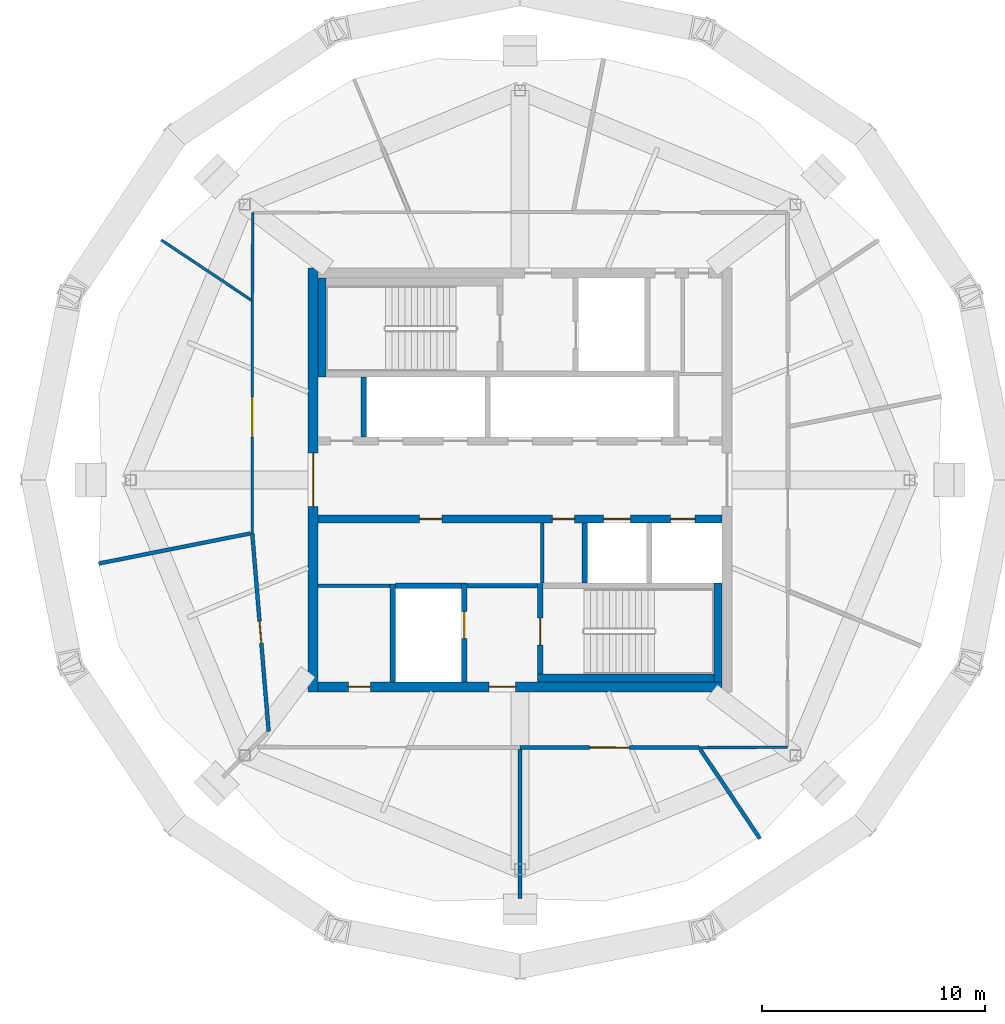
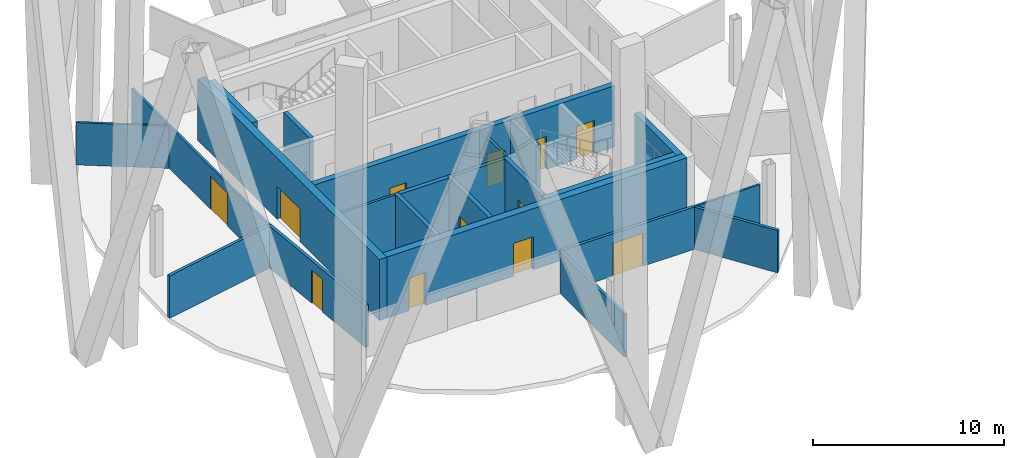
# One storey, part 4 of 11: 24 walls, 12 doors, 12 openings.
"""IFC4 building model written with IfcOpenShell, lengths in metres."""

from ifc_helpers import new_model, si_unit, direction, frame, frame_2d, origin, place, context, subcontext, project, spatial, rectangle, extrude, material, layer, layer_set, type_object, element, fill, save


model = new_model("IFC4")

# Units and contexts
model_context = context("Model", 3, precision=1e-05, world=origin(), true_north=direction((0.0, 1.0)))
body_context = subcontext(model_context, "Body", "Model", "MODEL_VIEW")
ifc_project = project(units=[si_unit("LENGTHUNIT", "METRE"), si_unit("AREAUNIT", "SQUARE_METRE"), si_unit("VOLUMEUNIT", "CUBIC_METRE"), si_unit("PLANEANGLEUNIT", "RADIAN"), si_unit("MASSUNIT", "GRAM", prefix="KILO")], contexts=[model_context])

# Site, building, storey
site_placement = place(None, origin())
site = spatial("IfcSite", under=ifc_project, at=site_placement, CompositionType="ELEMENT")
building_placement = place(site_placement, origin())
building = spatial("IfcBuilding", under=site, at=building_placement, Name="Ogive Gate Towers", CompositionType="ELEMENT")
storey_placement = place(building_placement, frame((0.0, 0.0, 273.0)))
storey = spatial("IfcBuildingStorey", under=building, at=storey_placement, Name="L64", CompositionType="ELEMENT", Elevation=273.0)

# Walls
ifc_material_1 = material(Name="Gypsum board acoustic partition")
ifc_layer_1 = layer(ifc_material_1, 0.175048828125)
ifc_layer_set_1 = layer_set([ifc_layer_1], Name="Acoustic partition 175")
wall_type_1 = type_object("IfcWallType", Name="Acoustic partition 175", PredefinedType="PARTITIONING", material=ifc_layer_set_1)
wall_1_placement = place(storey_placement, frame((-54.89111328125, -3.748291015625, 0.0), z_axis=(0.0, 0.0, 1.0), x_axis=(0.980874890603, 0.194639279139, 0.0)))
element("IfcWall", 1, at=wall_1_placement, inside=storey, type_object=wall_type_1, Name="Partition T1-L64-006", PredefinedType="PARTITIONING", context=body_context, shape_type="SweptSolid", body=[
    extrude(rectangle(XDim=6.931396484375, YDim=0.175048828125, at=frame_2d((3.4658203125, 0.0))), origin(), (0.0, 0.0, 1.0), 2.699951171875),
])
wall_2_placement = place(storey_placement, frame((-36.0, -18.759033203125, 0.0), z_axis=(0.0, 0.0, 1.0), x_axis=(0.0, 1.0, 0.0)))
element("IfcWall", 2, at=wall_2_placement, inside=storey, type_object=wall_type_1, Name="Partition T1-L64-008", PredefinedType="PARTITIONING", context=body_context, shape_type="SweptSolid", body=[
    extrude(rectangle(XDim=6.681396484375, YDim=0.175048828125, at=frame_2d((3.3408203125, 0.0))), origin(), (0.0, 0.0, 1.0), 2.699951171875),
])
wall_3_placement = place(storey_placement, frame((-25.240478515625, -16.085693359375, 0.0), z_axis=(0.0, 0.0, 1.0), x_axis=(-0.555995786463, 0.831185109007, 0.0)))
element("IfcWall", 3, at=wall_3_placement, inside=storey, type_object=wall_type_1, Name="Partition T1-L64-009", PredefinedType="PARTITIONING", context=body_context, shape_type="SweptSolid", body=[
    extrude(rectangle(XDim=4.824462890625, YDim=0.175048828125, at=frame_2d((2.412109375, 0.0))), origin(), (0.0, 0.0, 1.0), 2.699951171875),
])

# Wall, opening, door
wall_4_placement = place(storey_placement, frame((-48.00634765625, -2.382080078125, 0.0), z_axis=(0.0, 0.0, 1.0), x_axis=(0.082415728916, -0.996598037138, 0.0)))
wall_4 = element("IfcWall", 4, at=wall_4_placement, inside=storey, type_object=wall_type_1, Name="Partition T1-L64-015", PredefinedType="PARTITIONING", context=body_context, shape_type="SweptSolid", body=[
    extrude(rectangle(XDim=8.91943359375, YDim=0.175048828125, at=frame_2d((4.459716796875, 0.0))), origin(), (0.0, 0.0, 1.0), 2.699951171875),
])
opening_1_placement = place(wall_4_placement, frame((3.9599609375, 0.0, 0.0)))
opening_1 = element("IfcOpeningElement", 5, at=opening_1_placement, cuts=wall_4, Name="Opening T1-L64-D04", PredefinedType="OPENING", context=body_context, shape_type="SweptSolid", body=[
    extrude(rectangle(XDim=1.0, YDim=2.10009765625, at=frame_2d((0.5, 1.050048828125))), frame((0.0, 0.09765625, 0.0), z_axis=(0.0, -1.0, 0.0), x_axis=(1.0, 0.0, 0.0)), (0.0, 0.0, 1.0), 0.195068359375),
])
ifc_material_2 = material(Name="Timber door", Category="wood")
door_type_1 = type_object("IfcDoorType", Name="Door 1000", OperationType="NOTDEFINED", PredefinedType="DOOR", material=ifc_material_2)
door_1_placement = place(opening_1_placement, origin())
door_1 = element("IfcDoor", 6, at=door_1_placement, inside=storey, type_object=door_type_1, Name="Door T1-L64-D04", OperationType="SINGLE_SWING_LEFT", OverallHeight=2.10009765625, OverallWidth=1.0, PredefinedType="DOOR", context=body_context, shape_type="SweptSolid", body=[
    extrude(rectangle(XDim=1.0, YDim=2.10009765625, at=frame_2d((0.5, 1.050048828125))), frame((0.0, 0.02490234375, 0.0), z_axis=(0.0, -1.0, 0.0), x_axis=(1.0, 0.0, 0.0)), (0.0, 0.0, 1.0), 0.050048828125),
])
fill(opening_1, door_1)

wall_5_placement = place(storey_placement, frame((-36.0, -11.989990234375, 0.0), z_axis=(0.0, 0.0, 1.0), x_axis=(0.999998701251, -0.001611674963, 0.0)))
wall_5 = element("IfcWall", 7, at=wall_5_placement, inside=storey, type_object=wall_type_1, Name="Partition T1-L64-017", PredefinedType="PARTITIONING", context=body_context, shape_type="SweptSolid", body=[
    extrude(rectangle(XDim=8.028564453125, YDim=0.175048828125, at=frame_2d((4.01416015625, 0.0))), origin(), (0.0, 0.0, 1.0), 2.699951171875),
])
opening_2_placement = place(wall_5_placement, frame((3.114013671875, 0.0, 0.0)))
opening_2 = element("IfcOpeningElement", 8, at=opening_2_placement, cuts=wall_5, Name="Opening T1-L64-D06", PredefinedType="OPENING", context=body_context, shape_type="SweptSolid", body=[
    extrude(rectangle(XDim=1.800048828125, YDim=2.10009765625, at=frame_2d((0.89990234375, 1.050048828125))), frame((0.0, 0.09765625, 0.0), z_axis=(0.0, -1.0, 0.0), x_axis=(1.0, 0.0, 0.0)), (0.0, 0.0, 1.0), 0.195068359375),
])
door_type_2 = type_object("IfcDoorType", Name="Door pair 1800", OperationType="NOTDEFINED", PredefinedType="DOOR", material=ifc_material_2)
door_2_placement = place(opening_2_placement, origin())
door_2 = element("IfcDoor", 9, at=door_2_placement, inside=storey, type_object=door_type_2, Name="Door T1-L64-D06", OperationType="DOUBLE_DOOR_DOUBLE_SWING", OverallHeight=2.10009765625, OverallWidth=1.800048828125, PredefinedType="DOOR", context=body_context, shape_type="SweptSolid", body=[
    extrude(rectangle(XDim=1.800048828125, YDim=2.10009765625, at=frame_2d((0.89990234375, 1.050048828125))), frame((0.0, 0.02490234375, 0.0), z_axis=(0.0, -1.0, 0.0), x_axis=(1.0, 0.0, 0.0)), (0.0, 0.0, 1.0), 0.050048828125),
])
fill(opening_2, door_2)

# Wall
ifc_material_3 = material(Name="Masonry blockwork", Category="masonry")
ifc_layer_2 = layer(ifc_material_3, 0.199951171875)
ifc_layer_set_2 = layer_set([ifc_layer_2], Name="Blockwork wall 200 mm")
wall_type_2 = type_object("IfcWallType", Name="Blockwork wall 200 mm", PredefinedType="PARTITIONING", material=ifc_layer_set_2)
wall_6_placement = place(storey_placement, frame((-38.375, -4.75, 0.0), z_axis=(0.0, 0.0, 1.0), x_axis=(1.0, 0.0, 0.0)))
element("IfcWall", 10, at=wall_6_placement, inside=storey, type_object=wall_type_2, Name="T1 L64 Blockwork wall 200 mm", PredefinedType="PARTITIONING", context=body_context, shape_type="SweptSolid", body=[
    extrude(rectangle(XDim=3.14990234375, YDim=0.199951171875, at=frame_2d((1.574951171875, 0.0))), origin(), (0.0, 0.0, 1.0), 3.89990234375),
])

# Wall, openings, doors
ifc_material_4 = material(Name="Concrete C60/75", Category="concrete")
ifc_layer_3 = layer(ifc_material_4, 0.449951171875)
ifc_layer_set_3 = layer_set([ifc_layer_3], Name="Core wall 450 mm")
wall_type_3 = type_object("IfcWallType", Name="Core wall 450 mm", PredefinedType="SHEAR", material=ifc_layer_set_3)
wall_7_placement = place(storey_placement, frame((-45.050048828125, -9.27490234375, 0.0), z_axis=(0.0, 0.0, 1.0), x_axis=(1.0, 0.0, 0.0)))
wall_7 = element("IfcWall", 11, at=wall_7_placement, inside=storey, type_object=wall_type_3, Name="T1 L64 Core wall 450 mm", PredefinedType="SHEAR", context=body_context, shape_type="SweptSolid", body=[
    extrude(rectangle(XDim=18.10009765625, YDim=0.449951171875, at=frame_2d((9.050048828125, 0.0))), origin(), (0.0, 0.0, 1.0), 3.89990234375),
])
opening_3_placement = place(wall_7_placement, frame((7.64990234375, 0.0, 0.0)))
opening_3 = element("IfcOpeningElement", 12, at=opening_3_placement, cuts=wall_7, Name="Opening KD-T1-L64-19", PredefinedType="OPENING", context=body_context, shape_type="SweptSolid", body=[
    extrude(rectangle(XDim=1.199951171875, YDim=2.10009765625, at=frame_2d((0.60009765625, 1.050048828125))), frame((0.0, 0.23486328125, 0.0), z_axis=(0.0, -1.0, 0.0), x_axis=(1.0, 0.0, 0.0)), (0.0, 0.0, 1.0), 0.469970703125),
])
opening_4_placement = place(wall_7_placement, frame((1.35009765625, 0.0, 0.0)))
opening_4 = element("IfcOpeningElement", 13, at=opening_4_placement, cuts=wall_7, Name="Opening KD-T1-L64-22", PredefinedType="OPENING", context=body_context, shape_type="SweptSolid", body=[
    extrude(rectangle(XDim=1.0, YDim=2.10009765625, at=frame_2d((0.5, 1.050048828125))), frame((0.0, 0.23486328125, 0.0), z_axis=(0.0, -1.0, 0.0), x_axis=(1.0, 0.0, 0.0)), (0.0, 0.0, 1.0), 0.469970703125),
])
door_type_3 = type_object("IfcDoorType", Name="Accessible WC door 1000 x 2100", OperationType="NOTDEFINED", PredefinedType="DOOR", material=ifc_material_2)
door_3_placement = place(opening_4_placement, origin())
door_3 = element("IfcDoor", 14, at=door_3_placement, inside=storey, type_object=door_type_3, Name="T1 L64 Core door", OperationType="SINGLE_SWING_LEFT", OverallHeight=2.10009765625, OverallWidth=1.0, PredefinedType="DOOR", context=body_context, shape_type="SweptSolid", body=[
    extrude(rectangle(XDim=1.0, YDim=2.10009765625, at=frame_2d((0.5, 1.050048828125))), frame((0.0, 0.02490234375, 0.0), z_axis=(0.0, -1.0, 0.0), x_axis=(1.0, 0.0, 0.0)), (0.0, 0.0, 1.0), 0.050048828125),
])
fill(opening_4, door_3)
ifc_material_5 = material(Name="Steel fire door", Category="steel")
door_type_4 = type_object("IfcDoorType", Name="Core door FD60S 1200 x 2100", OperationType="NOTDEFINED", PredefinedType="DOOR", material=ifc_material_5)
door_4_placement = place(opening_3_placement, origin())
door_4 = element("IfcDoor", 15, at=door_4_placement, inside=storey, type_object=door_type_4, Name="T1 L64 Fire-fighting lobby door", OperationType="SINGLE_SWING_RIGHT", OverallHeight=2.10009765625, OverallWidth=1.199951171875, PredefinedType="DOOR", context=body_context, shape_type="SweptSolid", body=[
    extrude(rectangle(XDim=1.199951171875, YDim=2.10009765625, at=frame_2d((0.60009765625, 1.050048828125))), frame((0.0, 0.02490234375, 0.0), z_axis=(0.0, -1.0, 0.0), x_axis=(1.0, 0.0, 0.0)), (0.0, 0.0, 1.0), 0.050048828125),
])
fill(opening_3, door_4)

# Wall, opening, door
wall_8_placement = place(storey_placement, frame((-45.27490234375, -9.5, 0.0), z_axis=(0.0, 0.0, 1.0), x_axis=(0.0, 1.0, 0.0)))
wall_8 = element("IfcWall", 16, at=wall_8_placement, inside=storey, type_object=wall_type_3, Name="T1 L64 Core wall 450 mm", PredefinedType="SHEAR", context=body_context, shape_type="SweptSolid", body=[
    extrude(rectangle(XDim=19.0, YDim=0.449951171875, at=frame_2d((9.5, 0.0))), origin(), (0.0, 0.0, 1.0), 3.89990234375),
])
opening_5_placement = place(wall_8_placement, frame((8.300048828125, 0.0, 0.0)))
opening_5 = element("IfcOpeningElement", 17, at=opening_5_placement, cuts=wall_8, Name="Opening KD-T1-L64-01", PredefinedType="OPENING", context=body_context, shape_type="SweptSolid", body=[
    extrude(rectangle(XDim=2.39990234375, YDim=2.10009765625, at=frame_2d((1.199951171875, 1.050048828125))), frame((0.0, 0.23486328125, 0.0), z_axis=(0.0, -1.0, 0.0), x_axis=(1.0, 0.0, 0.0)), (0.0, 0.0, 1.0), 0.469970703125),
])
door_type_5 = type_object("IfcDoorType", Name="Core double door FD60S 2400 x 2100", OperationType="DOUBLE_DOOR_SINGLE_SWING", PredefinedType="DOOR", material=ifc_material_5)
door_5_placement = place(opening_5_placement, origin())
door_5 = element("IfcDoor", 18, at=door_5_placement, inside=storey, type_object=door_type_5, Name="T1 L64 Core door double", OperationType="DOUBLE_DOOR_SINGLE_SWING", OverallHeight=2.10009765625, OverallWidth=2.39990234375, PredefinedType="DOOR", context=body_context, shape_type="SweptSolid", body=[
    extrude(rectangle(XDim=2.39990234375, YDim=2.10009765625, at=frame_2d((1.199951171875, 1.050048828125))), frame((0.0, 0.02490234375, 0.0), z_axis=(0.0, -1.0, 0.0), x_axis=(1.0, 0.0, 0.0)), (0.0, 0.0, 1.0), 0.050048828125),
])
fill(opening_5, door_5)

# Walls
ifc_material_6 = material(Name="Gypsum board partition")
ifc_layer_4 = layer(ifc_material_6, 0.125)
ifc_layer_set_4 = layer_set([ifc_layer_4], Name="Partition 125")
wall_type_4 = type_object("IfcWallType", Name="Partition 125", PredefinedType="PARTITIONING", material=ifc_layer_set_4)
wall_9_placement = place(storey_placement, frame((-52.085693359375, 10.759521484375, 0.0), z_axis=(0.0, 0.0, 1.0), x_axis=(0.831181808576, -0.556000720407, 0.0)))
element("IfcWall", 19, at=wall_9_placement, inside=storey, type_object=wall_type_4, Name="Partition T1-L64-005", PredefinedType="PARTITIONING", context=body_context, shape_type="SweptSolid", body=[
    extrude(rectangle(XDim=4.849365234375, YDim=0.125, at=frame_2d((2.4248046875, 0.0))), origin(), (0.0, 0.0, 1.0), 2.699951171875),
])
wall_10_placement = place(storey_placement, frame((-47.97998046875, 11.97998046875, 0.0), z_axis=(0.0, 0.0, 1.0), x_axis=(-0.005807748822, -0.999983134885, 0.0)))
element("IfcWall", 20, at=wall_10_placement, inside=storey, type_object=wall_type_4, Name="Partition T1-L64-013", PredefinedType="PARTITIONING", context=body_context, shape_type="SweptSolid", body=[
    extrude(rectangle(XDim=3.951416015625, YDim=0.125, at=frame_2d((1.9755859375, 0.0))), origin(), (0.0, 0.0, 1.0), 2.699951171875),
])

# Wall, opening, door
wall_11_placement = place(storey_placement, frame((-48.0029296875, 8.028564453125, 0.0), z_axis=(0.0, 0.0, 1.0), x_axis=(-0.000328314789, -0.999999946105, 0.0)))
wall_11 = element("IfcWall", 21, at=wall_11_placement, inside=storey, type_object=wall_type_4, Name="Partition T1-L64-014", PredefinedType="PARTITIONING", context=body_context, shape_type="SweptSolid", body=[
    extrude(rectangle(XDim=10.41064453125, YDim=0.125, at=frame_2d((5.205322265625, 0.0))), origin(), (0.0, 0.0, 1.0), 2.699951171875),
])
opening_6_placement = place(wall_11_placement, frame((4.304931640625, 0.0, 0.0)))
opening_6 = element("IfcOpeningElement", 22, at=opening_6_placement, cuts=wall_11, Name="Opening T1-L64-D03", PredefinedType="OPENING", context=body_context, shape_type="SweptSolid", body=[
    extrude(rectangle(XDim=1.800048828125, YDim=2.10009765625, at=frame_2d((0.89990234375, 1.050048828125))), frame((0.0, 0.072509765625, 0.0), z_axis=(0.0, -1.0, 0.0), x_axis=(1.0, 0.0, 0.0)), (0.0, 0.0, 1.0), 0.14501953125),
])
door_6_placement = place(opening_6_placement, origin())
door_6 = element("IfcDoor", 23, at=door_6_placement, inside=storey, type_object=door_type_2, Name="Door T1-L64-D03", OperationType="DOUBLE_DOOR_DOUBLE_SWING", OverallHeight=2.10009765625, OverallWidth=1.800048828125, PredefinedType="DOOR", context=body_context, shape_type="SweptSolid", body=[
    extrude(rectangle(XDim=1.800048828125, YDim=2.10009765625, at=frame_2d((0.89990234375, 1.050048828125))), frame((0.0, 0.02490234375, 0.0), z_axis=(0.0, -1.0, 0.0), x_axis=(1.0, 0.0, 0.0)), (0.0, 0.0, 1.0), 0.050048828125),
])
fill(opening_6, door_6)

# Walls
wall_12_placement = place(storey_placement, frame((-27.971435546875, -12.0029296875, 0.0), z_axis=(0.0, 0.0, 1.0), x_axis=(0.999983134885, 0.005807748822, 0.0)))
element("IfcWall", 24, at=wall_12_placement, inside=storey, type_object=wall_type_4, Name="Partition T1-L64-019", PredefinedType="PARTITIONING", context=body_context, shape_type="SweptSolid", body=[
    extrude(rectangle(XDim=3.951416015625, YDim=0.125, at=frame_2d((1.9755859375, 0.0))), origin(), (0.0, 0.0, 1.0), 2.699951171875),
])
ifc_layer_5 = layer(ifc_material_6, 0.14990234375)
ifc_layer_set_5 = layer_set([ifc_layer_5], Name="Room partition 150 mm")
wall_type_5 = type_object("IfcWallType", Name="Room partition 150 mm", PredefinedType="PARTITIONING", material=ifc_layer_set_5)
wall_13_placement = place(storey_placement, frame((-45.050048828125, -4.75, 0.0), z_axis=(0.0, 0.0, 1.0), x_axis=(1.0, 0.0, 0.0)))
element("IfcWall", 25, at=wall_13_placement, inside=storey, type_object=wall_type_5, Name="T1 L64 Room partition 150 mm", PredefinedType="PARTITIONING", context=body_context, shape_type="SweptSolid", body=[
    extrude(rectangle(XDim=3.22509765625, YDim=0.14990234375, at=frame_2d((1.612548828125, 0.0))), origin(), (0.0, 0.0, 1.0), 3.89990234375),
])
wall_14_placement = place(storey_placement, frame((-35.0, -4.625, 0.0), z_axis=(0.0, 0.0, 1.0), x_axis=(0.0, 1.0, 0.0)))
element("IfcWall", 26, at=wall_14_placement, inside=storey, type_object=wall_type_5, Name="T1 L64 Room partition 150 mm", PredefinedType="PARTITIONING", context=body_context, shape_type="SweptSolid", body=[
    extrude(rectangle(XDim=2.699951171875, YDim=0.14990234375, at=frame_2d((1.35009765625, 0.0))), origin(), (0.0, 0.0, 1.0), 3.89990234375),
])
ifc_layer_6 = layer(ifc_material_4, 0.25)
ifc_layer_set_6 = layer_set([ifc_layer_6], Name="Shaft wall 250 mm")
wall_type_6 = type_object("IfcWallType", Name="Shaft wall 250 mm", PredefinedType="SHEAR", material=ifc_layer_set_6)
wall_15_placement = place(storey_placement, frame((-41.574951171875, -4.75, 0.0), z_axis=(0.0, 0.0, 1.0), x_axis=(1.0, 0.0, 0.0)))
element("IfcWall", 27, at=wall_15_placement, inside=storey, type_object=wall_type_6, Name="T1 L64 Shaft wall 250 mm", PredefinedType="SHEAR", context=body_context, shape_type="SweptSolid", body=[
    extrude(rectangle(XDim=2.949951171875, YDim=0.25, at=frame_2d((1.47509765625, 0.0))), origin(), (0.0, 0.0, 1.0), 3.89990234375),
])
wall_16_placement = place(storey_placement, frame((-43.0, 1.925048828125, 0.0), z_axis=(0.0, 0.0, 1.0), x_axis=(0.0, 1.0, 0.0)))
element("IfcWall", 28, at=wall_16_placement, inside=storey, type_object=wall_type_6, Name="T1 L64 Shaft wall 250 mm", PredefinedType="SHEAR", context=body_context, shape_type="SweptSolid", body=[
    extrude(rectangle(XDim=2.699951171875, YDim=0.25, at=frame_2d((1.35009765625, 0.0))), origin(), (0.0, 0.0, 1.0), 3.89990234375),
])
wall_17_placement = place(storey_placement, frame((-41.699951171875, -9.050048828125, 0.0), z_axis=(0.0, 0.0, 1.0), x_axis=(0.0, 1.0, 0.0)))
element("IfcWall", 29, at=wall_17_placement, inside=storey, type_object=wall_type_6, Name="T1 L64 Shaft wall 250 mm", PredefinedType="SHEAR", context=body_context, shape_type="SweptSolid", body=[
    extrude(rectangle(XDim=4.375, YDim=0.25, at=frame_2d((2.1875, 0.0))), origin(), (0.0, 0.0, 1.0), 3.89990234375),
])

# Wall, opening, door
wall_18_placement = place(storey_placement, frame((-38.5, -9.050048828125, 0.0), z_axis=(0.0, 0.0, 1.0), x_axis=(0.0, 1.0, 0.0)))
wall_18 = element("IfcWall", 30, at=wall_18_placement, inside=storey, type_object=wall_type_6, Name="T1 L64 Shaft wall 250 mm", PredefinedType="SHEAR", context=body_context, shape_type="SweptSolid", body=[
    extrude(rectangle(XDim=4.425048828125, YDim=0.25, at=frame_2d((2.21240234375, 0.0))), origin(), (0.0, 0.0, 1.0), 3.89990234375),
])
opening_7_placement = place(wall_18_placement, frame((1.949951171875, 0.0, 0.0)))
opening_7 = element("IfcOpeningElement", 31, at=opening_7_placement, cuts=wall_18, Name="Opening LD-T1-L64-13", PredefinedType="OPENING", context=body_context, shape_type="SweptSolid", body=[
    extrude(rectangle(XDim=1.199951171875, YDim=2.10009765625, at=frame_2d((0.60009765625, 1.050048828125))), frame((0.0, 0.135009765625, 0.0), z_axis=(0.0, -1.0, 0.0), x_axis=(1.0, 0.0, 0.0)), (0.0, 0.0, 1.0), 0.27001953125),
])
ifc_material_7 = material(Name="Stainless steel landing door", Category="steel")
door_type_6 = type_object("IfcDoorType", Name="Landing door 1200 x 2100", OperationType="SLIDING_TO_LEFT", PredefinedType="DOOR", material=ifc_material_7)
door_7_placement = place(opening_7_placement, origin())
door_7 = element("IfcDoor", 32, at=door_7_placement, inside=storey, type_object=door_type_6, Name="T1 L64 Lift landing door FF2", OperationType="SLIDING_TO_LEFT", OverallHeight=2.10009765625, OverallWidth=1.199951171875, PredefinedType="DOOR", context=body_context, shape_type="SweptSolid", body=[
    extrude(rectangle(XDim=1.199951171875, YDim=2.10009765625, at=frame_2d((0.60009765625, 1.050048828125))), frame((0.0, 0.02490234375, 0.0), z_axis=(0.0, -1.0, 0.0), x_axis=(1.0, 0.0, 0.0)), (0.0, 0.0, 1.0), 0.050048828125),
])
fill(opening_7, door_7)

wall_19_placement = place(storey_placement, frame((-35.10009765625, -8.699951171875, 0.0), z_axis=(0.0, 0.0, 1.0), x_axis=(0.0, 1.0, 0.0)))
wall_19 = element("IfcWall", 33, at=wall_19_placement, inside=storey, type_object=wall_type_6, Name="T1 L64 Shaft wall 250 mm", PredefinedType="SHEAR", context=body_context, shape_type="SweptSolid", body=[
    extrude(rectangle(XDim=4.050048828125, YDim=0.25, at=frame_2d((2.02490234375, 0.0))), origin(), (0.0, 0.0, 1.0), 3.89990234375),
])
opening_8_placement = place(wall_19_placement, frame((1.300048828125, 0.0, 0.0)))
opening_8 = element("IfcOpeningElement", 34, at=opening_8_placement, cuts=wall_19, Name="Opening KD-T1-L64-17", PredefinedType="OPENING", context=body_context, shape_type="SweptSolid", body=[
    extrude(rectangle(XDim=1.199951171875, YDim=2.10009765625, at=frame_2d((0.60009765625, 1.050048828125))), frame((0.0, 0.135009765625, 0.0), z_axis=(0.0, -1.0, 0.0), x_axis=(1.0, 0.0, 0.0)), (0.0, 0.0, 1.0), 0.27001953125),
])
door_8_placement = place(opening_8_placement, origin())
door_8 = element("IfcDoor", 35, at=door_8_placement, inside=storey, type_object=door_type_4, Name="T1 L64 Stair door", OperationType="SINGLE_SWING_RIGHT", OverallHeight=2.10009765625, OverallWidth=1.199951171875, PredefinedType="DOOR", context=body_context, shape_type="SweptSolid", body=[
    extrude(rectangle(XDim=1.199951171875, YDim=2.10009765625, at=frame_2d((0.60009765625, 1.050048828125))), frame((0.0, 0.02490234375, 0.0), z_axis=(0.0, -1.0, 0.0), x_axis=(1.0, 0.0, 0.0)), (0.0, 0.0, 1.0), 0.050048828125),
])
fill(opening_8, door_8)

# Wall
wall_20_placement = place(storey_placement, frame((-33.10009765625, -4.625, 0.0), z_axis=(0.0, 0.0, 1.0), x_axis=(0.0, 1.0, 0.0)))
element("IfcWall", 36, at=wall_20_placement, inside=storey, type_object=wall_type_6, Name="T1 L64 Shaft wall 250 mm", PredefinedType="SHEAR", context=body_context, shape_type="SweptSolid", body=[
    extrude(rectangle(XDim=2.699951171875, YDim=0.25, at=frame_2d((1.35009765625, 0.0))), origin(), (0.0, 0.0, 1.0), 3.89990234375),
])

# Wall, openings, doors
ifc_layer_7 = layer(ifc_material_4, 0.35009765625)
ifc_layer_set_7 = layer_set([ifc_layer_7], Name="Spine wall 350 mm")
wall_type_7 = type_object("IfcWallType", Name="Spine wall 350 mm", PredefinedType="SHEAR", material=ifc_layer_set_7)
wall_21_placement = place(storey_placement, frame((-45.050048828125, -1.75, 0.0), z_axis=(0.0, 0.0, 1.0), x_axis=(1.0, 0.0, 0.0)))
wall_21 = element("IfcWall", 37, at=wall_21_placement, inside=storey, type_object=wall_type_7, Name="T1 L64 Spine wall 350 mm", PredefinedType="SHEAR", context=body_context, shape_type="SweptSolid", body=[
    extrude(rectangle(XDim=18.10009765625, YDim=0.35009765625, at=frame_2d((9.050048828125, 0.0))), origin(), (0.0, 0.0, 1.0), 3.89990234375),
])
opening_9_placement = place(wall_21_placement, frame((12.800048828125, 0.0, 0.0)))
opening_9 = element("IfcOpeningElement", 38, at=opening_9_placement, cuts=wall_21, Name="Opening LD-T1-L64-10", PredefinedType="OPENING", context=body_context, shape_type="SweptSolid", body=[
    extrude(rectangle(XDim=1.199951171875, YDim=2.10009765625, at=frame_2d((0.60009765625, 1.050048828125))), frame((0.0, 0.18505859375, 0.0), z_axis=(0.0, -1.0, 0.0), x_axis=(1.0, 0.0, 0.0)), (0.0, 0.0, 1.0), 0.3701171875),
])
opening_10_placement = place(wall_21_placement, frame((15.800048828125, 0.0, 0.0)))
opening_10 = element("IfcOpeningElement", 39, at=opening_10_placement, cuts=wall_21, Name="Opening LD-T1-L64-11", PredefinedType="OPENING", context=body_context, shape_type="SweptSolid", body=[
    extrude(rectangle(XDim=1.10009765625, YDim=2.10009765625, at=frame_2d((0.550048828125, 1.050048828125))), frame((0.0, 0.18505859375, 0.0), z_axis=(0.0, -1.0, 0.0), x_axis=(1.0, 0.0, 0.0)), (0.0, 0.0, 1.0), 0.3701171875),
])
opening_11_placement = place(wall_21_placement, frame((4.550048828125, 0.0, 0.0)))
opening_11 = element("IfcOpeningElement", 40, at=opening_11_placement, cuts=wall_21, Name="Opening KD-T1-L64-14", PredefinedType="OPENING", context=body_context, shape_type="SweptSolid", body=[
    extrude(rectangle(XDim=1.0, YDim=2.10009765625, at=frame_2d((0.5, 1.050048828125))), frame((0.0, 0.18505859375, 0.0), z_axis=(0.0, -1.0, 0.0), x_axis=(1.0, 0.0, 0.0)), (0.0, 0.0, 1.0), 0.3701171875),
])
opening_12_placement = place(wall_21_placement, frame((10.5, 0.0, 0.0)))
opening_12 = element("IfcOpeningElement", 41, at=opening_12_placement, cuts=wall_21, Name="Opening KD-T1-L64-15", PredefinedType="OPENING", context=body_context, shape_type="SweptSolid", body=[
    extrude(rectangle(XDim=1.0, YDim=2.10009765625, at=frame_2d((0.5, 1.050048828125))), frame((0.0, 0.18505859375, 0.0), z_axis=(0.0, -1.0, 0.0), x_axis=(1.0, 0.0, 0.0)), (0.0, 0.0, 1.0), 0.3701171875),
])
door_type_7 = type_object("IfcDoorType", Name="Core door FD60S 1000 x 2100", OperationType="NOTDEFINED", PredefinedType="DOOR", material=ifc_material_5)
door_9_placement = place(opening_11_placement, origin())
door_9 = element("IfcDoor", 42, at=door_9_placement, inside=storey, type_object=door_type_7, Name="T1 L64 Core door", OperationType="SINGLE_SWING_LEFT", OverallHeight=2.10009765625, OverallWidth=1.0, PredefinedType="DOOR", context=body_context, shape_type="SweptSolid", body=[
    extrude(rectangle(XDim=1.0, YDim=2.10009765625, at=frame_2d((0.5, 1.050048828125))), frame((0.0, 0.02490234375, 0.0), z_axis=(0.0, -1.0, 0.0), x_axis=(1.0, 0.0, 0.0)), (0.0, 0.0, 1.0), 0.050048828125),
])
fill(opening_11, door_9)
door_10_placement = place(opening_12_placement, origin())
door_10 = element("IfcDoor", 43, at=door_10_placement, inside=storey, type_object=door_type_7, Name="T1 L64 Core door", OperationType="SINGLE_SWING_RIGHT", OverallHeight=2.10009765625, OverallWidth=1.0, PredefinedType="DOOR", context=body_context, shape_type="SweptSolid", body=[
    extrude(rectangle(XDim=1.0, YDim=2.10009765625, at=frame_2d((0.5, 1.050048828125))), frame((0.0, 0.02490234375, 0.0), z_axis=(0.0, -1.0, 0.0), x_axis=(1.0, 0.0, 0.0)), (0.0, 0.0, 1.0), 0.050048828125),
])
fill(opening_12, door_10)
door_type_8 = type_object("IfcDoorType", Name="Landing door 1100 x 2100", OperationType="SLIDING_TO_LEFT", PredefinedType="DOOR", material=ifc_material_7)
door_11_placement = place(opening_10_placement, origin())
door_11 = element("IfcDoor", 44, at=door_11_placement, inside=storey, type_object=door_type_8, Name="T1 L64 Lift landing door B6", OperationType="SLIDING_TO_LEFT", OverallHeight=2.10009765625, OverallWidth=1.10009765625, PredefinedType="DOOR", context=body_context, shape_type="SweptSolid", body=[
    extrude(rectangle(XDim=1.10009765625, YDim=2.10009765625, at=frame_2d((0.550048828125, 1.050048828125))), frame((0.0, 0.02490234375, 0.0), z_axis=(0.0, -1.0, 0.0), x_axis=(1.0, 0.0, 0.0)), (0.0, 0.0, 1.0), 0.050048828125),
])
fill(opening_10, door_11)
door_12_placement = place(opening_9_placement, origin())
door_12 = element("IfcDoor", 45, at=door_12_placement, inside=storey, type_object=door_type_6, Name="T1 L64 Lift landing door SVC", OperationType="SLIDING_TO_LEFT", OverallHeight=2.10009765625, OverallWidth=1.199951171875, PredefinedType="DOOR", context=body_context, shape_type="SweptSolid", body=[
    extrude(rectangle(XDim=1.199951171875, YDim=2.10009765625, at=frame_2d((0.60009765625, 1.050048828125))), frame((0.0, 0.02490234375, 0.0), z_axis=(0.0, -1.0, 0.0), x_axis=(1.0, 0.0, 0.0)), (0.0, 0.0, 1.0), 0.050048828125),
])
fill(opening_9, door_12)

# Walls
ifc_layer_8 = layer(ifc_material_4, 0.35009765625)
ifc_layer_set_8 = layer_set([ifc_layer_8], Name="Stair wall 350 mm")
wall_type_8 = type_object("IfcWallType", Name="Stair wall 350 mm", PredefinedType="SHEAR", material=ifc_layer_set_8)
wall_22_placement = place(storey_placement, frame((-35.22509765625, -8.875, 0.0), z_axis=(0.0, 0.0, 1.0), x_axis=(1.0, 0.0, 0.0)))
element("IfcWall", 46, at=wall_22_placement, inside=storey, type_object=wall_type_8, Name="T1 L64 Stair wall 350 mm", PredefinedType="SHEAR", context=body_context, shape_type="SweptSolid", body=[
    extrude(rectangle(XDim=7.925048828125, YDim=0.35009765625, at=frame_2d((3.96240234375, 0.0))), origin(), (0.0, 0.0, 1.0), 3.89990234375),
])
for number, where, z_axis, x_axis, name in (
    (47, (-44.875, 4.625, 0.0), (0.0, 0.0, 1.0), (0.0, 1.0, 0.0), "T1 L64 Stair wall 350 mm"),
    (48, (-27.125, -9.050048828125, 0.0), (0.0, 0.0, 1.0), (0.0, 1.0, 0.0), "T1 L64 Stair wall 350 mm"),
):
    element("IfcWall", number, at=place(storey_placement, frame(where, z_axis=z_axis, x_axis=x_axis)), inside=storey, type_object=wall_type_8, Name=name, PredefinedType="SHEAR", context=body_context, shape_type="SweptSolid", body=[
        extrude(rectangle(XDim=4.425048828125, YDim=0.35009765625, at=frame_2d((2.21240234375, 0.0))), origin(), (0.0, 0.0, 1.0), 3.89990234375),
    ])

save(model, "model.ifc")
